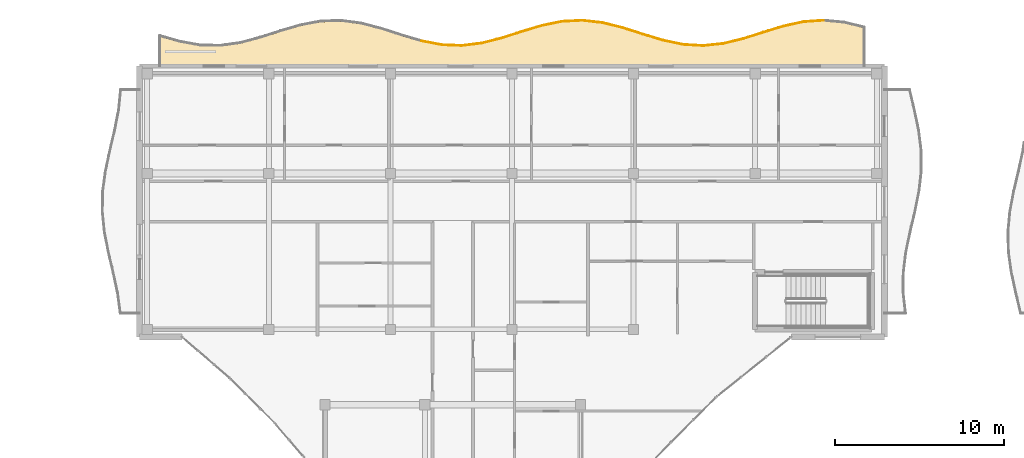
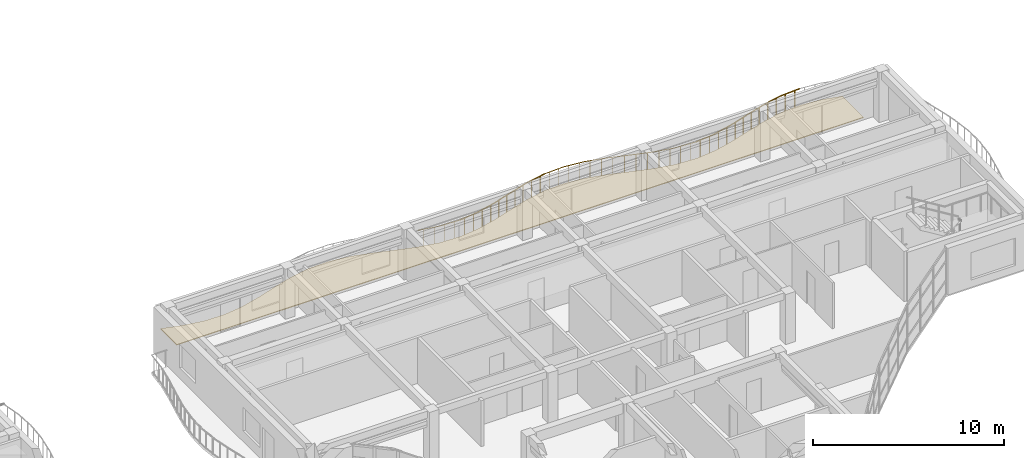
# One storey, part 72 of 79: 20 railings, 1 covering.
"""IFC4 building model written with IfcOpenShell, lengths in metres."""

from ifc_helpers import new_model, si_unit, direction, frame, origin, origin_2d, place, context, subcontext, project, spatial, polyline, circle, outline, extrude, material, layer, layer_set, type_object, element, save


model = new_model("IFC4")

# Units and contexts
model_context = context("Model", 3, precision=1e-05, world=origin(), true_north=direction((0.0, 1.0)))
body_context = subcontext(model_context, "Body", "Model", "MODEL_VIEW")
ifc_project = project(units=[si_unit("LENGTHUNIT", "METRE"), si_unit("AREAUNIT", "SQUARE_METRE"), si_unit("VOLUMEUNIT", "CUBIC_METRE"), si_unit("PLANEANGLEUNIT", "RADIAN"), si_unit("MASSUNIT", "GRAM", prefix="KILO")], contexts=[model_context])

# Site, building, storey
site_placement = place(None, origin())
site = spatial("IfcSite", under=ifc_project, at=site_placement, CompositionType="ELEMENT")
building_placement = place(site_placement, origin())
building = spatial("IfcBuilding", under=site, at=building_placement, Name="Keldmere Railside Commons", CompositionType="ELEMENT")
storey_placement = place(building_placement, frame((0.0, 0.0, 10.56005859375)))
storey = spatial("IfcBuildingStorey", under=building, at=storey_placement, Name="L03", CompositionType="ELEMENT", Elevation=10.56005859375)

# Railings
ifc_material_1 = material(Name="Steel F-24 (S235)", Category="steel")
railing_type = type_object("IfcRailingType", Name="Balcony & Terrace Steel Balustrade 1100", PredefinedType="BALUSTRADE", material=ifc_material_1)
railing_1_placement = place(storey_placement, frame((110.1513671875, 117.48583984375, 0.0)))
element("IfcRailing", 1, at=railing_1_placement, inside=storey, type_object=railing_type, Name="GR-1 GRD-L03-2120", PredefinedType="BALUSTRADE", context=body_context, shape_type="SweptSolid", body=[
    extrude(circle(Radius=0.02392578125, at=origin_2d()), frame((0.0, 0.0, 1.076171875), z_axis=(0.981643709316, -0.190723957489, 0.0), x_axis=(0.190723957489, 0.981643709316, 0.0)), (0.0, 0.0, 1.0), 1.2109375),
    extrude(circle(Radius=0.02099609375, at=origin_2d()), frame((0.297119140625, -0.0576171875, 0.0)), (0.0, 0.0, 1.0), 1.048095703125),
    extrude(circle(Radius=0.02099609375, at=origin_2d()), frame((0.8916015625, -0.17333984375, 0.0)), (0.0, 0.0, 1.0), 1.048095703125),
])
railing_2_placement = place(storey_placement, frame((111.340087890625, 117.2548828125, 0.0)))
element("IfcRailing", 2, at=railing_2_placement, inside=storey, type_object=railing_type, Name="GR-1 GRD-L03-2121", PredefinedType="BALUSTRADE", context=body_context, shape_type="SweptSolid", body=[
    extrude(circle(Radius=0.02392578125, at=origin_2d()), frame((0.0, 0.0, 1.076171875), z_axis=(0.999182160112, -0.040435268189, 0.0), x_axis=(0.040435268189, 0.999182160112, 0.0)), (0.0, 0.0, 1.0), 1.189453125),
    extrude(circle(Radius=0.02099609375, at=origin_2d()), frame((0.297119140625, -0.011962890625, 0.0)), (0.0, 0.0, 1.0), 1.048095703125),
    extrude(circle(Radius=0.02099609375, at=origin_2d()), frame((0.891357421875, -0.0361328125, 0.0)), (0.0, 0.0, 1.0), 1.048095703125),
])
railing_3_placement = place(storey_placement, frame((112.528564453125, 117.206787109375, 0.0)))
element("IfcRailing", 3, at=railing_3_placement, inside=storey, type_object=railing_type, Name="GR-1 GRD-L03-2122", PredefinedType="BALUSTRADE", context=body_context, shape_type="SweptSolid", body=[
    extrude(circle(Radius=0.02392578125, at=origin_2d()), frame((0.0, 0.0, 1.076171875), z_axis=(0.992415263539, 0.122930649941, 0.0), x_axis=(-0.122930649941, 0.992415263539, 0.0)), (0.0, 0.0, 1.0), 1.197509765625),
    extrude(circle(Radius=0.02099609375, at=origin_2d()), frame((0.297119140625, 0.036865234375, 0.0)), (0.0, 0.0, 1.0), 1.048095703125),
    extrude(circle(Radius=0.02099609375, at=origin_2d()), frame((0.891357421875, 0.1103515625, 0.0)), (0.0, 0.0, 1.0), 1.048095703125),
])
railing_4_placement = place(storey_placement, frame((113.717041015625, 117.35400390625, 0.0)))
element("IfcRailing", 4, at=railing_4_placement, inside=storey, type_object=railing_type, Name="GR-1 GRD-L03-2123", PredefinedType="BALUSTRADE", context=body_context, shape_type="SweptSolid", body=[
    extrude(circle(Radius=0.02392578125, at=origin_2d()), frame((0.0, 0.0, 1.076171875), z_axis=(0.968829364093, 0.247729011767, 0.0), x_axis=(-0.247729011767, 0.968829364093, 0.0)), (0.0, 0.0, 1.0), 1.22705078125),
    extrude(circle(Radius=0.02099609375, at=origin_2d()), frame((0.297119140625, 0.075927734375, 0.0)), (0.0, 0.0, 1.0), 1.048095703125),
    extrude(circle(Radius=0.02099609375, at=origin_2d()), frame((0.8916015625, 0.22802734375, 0.0)), (0.0, 0.0, 1.0), 1.048095703125),
])
railing_5_placement = place(storey_placement, frame((114.90576171875, 117.657958984375, 0.0)))
element("IfcRailing", 5, at=railing_5_placement, inside=storey, type_object=railing_type, Name="GR-1 GRD-L03-2124", PredefinedType="BALUSTRADE", context=body_context, shape_type="SweptSolid", body=[
    extrude(circle(Radius=0.02392578125, at=origin_2d()), frame((0.0, 0.0, 1.076171875), z_axis=(0.952296866166, 0.305173194581, 0.0), x_axis=(-0.305173194581, 0.952296866166, 0.0)), (0.0, 0.0, 1.0), 1.248046875),
    extrude(circle(Radius=0.02099609375, at=origin_2d()), frame((0.297119140625, 0.09521484375, 0.0)), (0.0, 0.0, 1.0), 1.048095703125),
    extrude(circle(Radius=0.02099609375, at=origin_2d()), frame((0.891357421875, 0.28564453125, 0.0)), (0.0, 0.0, 1.0), 1.048095703125),
])
railing_6_placement = place(storey_placement, frame((116.09423828125, 118.038818359375, 0.0)))
element("IfcRailing", 6, at=railing_6_placement, inside=storey, type_object=railing_type, Name="GR-1 GRD-L03-2125", PredefinedType="BALUSTRADE", context=body_context, shape_type="SweptSolid", body=[
    extrude(circle(Radius=0.02392578125, at=origin_2d()), frame((0.0, 0.0, 1.076171875), z_axis=(0.957647461825, 0.287943291048, 0.0), x_axis=(-0.287943291048, 0.957647461825, 0.0)), (0.0, 0.0, 1.0), 1.2412109375),
    extrude(circle(Radius=0.02099609375, at=origin_2d()), frame((0.297119140625, 0.08935546875, 0.0)), (0.0, 0.0, 1.0), 1.048095703125),
    extrude(circle(Radius=0.02099609375, at=origin_2d()), frame((0.8916015625, 0.26806640625, 0.0)), (0.0, 0.0, 1.0), 1.048095703125),
])
railing_7_placement = place(storey_placement, frame((117.282958984375, 118.396240234375, 0.0)))
element("IfcRailing", 7, at=railing_7_placement, inside=storey, type_object=railing_type, Name="GR-1 GRD-L03-2126", PredefinedType="BALUSTRADE", context=body_context, shape_type="SweptSolid", body=[
    extrude(circle(Radius=0.02392578125, at=origin_2d()), frame((0.0, 0.0, 1.076171875), z_axis=(0.980175906749, 0.198129230123, 0.0), x_axis=(-0.198129230123, 0.980175906749, 0.0)), (0.0, 0.0, 1.0), 1.21240234375),
    extrude(circle(Radius=0.02099609375, at=origin_2d()), frame((0.297119140625, 0.06005859375, 0.0)), (0.0, 0.0, 1.0), 1.048095703125),
    extrude(circle(Radius=0.02099609375, at=origin_2d()), frame((0.891357421875, 0.18017578125, 0.0)), (0.0, 0.0, 1.0), 1.048095703125),
])
railing_8_placement = place(storey_placement, frame((118.471435546875, 118.636474609375, 0.0)))
element("IfcRailing", 8, at=railing_8_placement, inside=storey, type_object=railing_type, Name="GR-1 GRD-L03-2127", PredefinedType="BALUSTRADE", context=body_context, shape_type="SweptSolid", body=[
    extrude(circle(Radius=0.02392578125, at=origin_2d()), frame((0.0, 0.0, 1.076171875), z_axis=(0.99874619171, 0.050060408952, 0.0), x_axis=(-0.050060408952, 0.99874619171, 0.0)), (0.0, 0.0, 1.0), 1.18994140625),
    extrude(circle(Radius=0.02099609375, at=origin_2d()), frame((0.297119140625, 0.014892578125, 0.0)), (0.0, 0.0, 1.0), 1.048095703125),
    extrude(circle(Radius=0.02099609375, at=origin_2d()), frame((0.891357421875, 0.044677734375, 0.0)), (0.0, 0.0, 1.0), 1.048095703125),
])
railing_9_placement = place(storey_placement, frame((119.659912109375, 118.696044921875, 0.0)))
element("IfcRailing", 9, at=railing_9_placement, inside=storey, type_object=railing_type, Name="GR-1 GRD-L03-2128", PredefinedType="BALUSTRADE", context=body_context, shape_type="SweptSolid", body=[
    extrude(circle(Radius=0.02392578125, at=origin_2d()), frame((0.0, 0.0, 1.076171875), z_axis=(0.993450867821, -0.114260112134, 0.0), x_axis=(0.114260112134, 0.993450867821, 0.0)), (0.0, 0.0, 1.0), 1.196533203125),
    extrude(circle(Radius=0.02099609375, at=origin_2d()), frame((0.297119140625, -0.0341796875, 0.0)), (0.0, 0.0, 1.0), 1.048095703125),
    extrude(circle(Radius=0.02099609375, at=origin_2d()), frame((0.8916015625, -0.1025390625, 0.0)), (0.0, 0.0, 1.0), 1.048095703125),
])
railing_10_placement = place(storey_placement, frame((120.8486328125, 118.559326171875, 0.0)))
element("IfcRailing", 10, at=railing_10_placement, inside=storey, type_object=railing_type, Name="GR-1 GRD-L03-2129", PredefinedType="BALUSTRADE", context=body_context, shape_type="SweptSolid", body=[
    extrude(circle(Radius=0.02392578125, at=origin_2d()), frame((0.0, 0.0, 1.076171875), z_axis=(0.970236220075, -0.242160437015, 0.0), x_axis=(0.242160437015, 0.970236220075, 0.0)), (0.0, 0.0, 1.0), 1.224853515625),
    extrude(circle(Radius=0.02099609375, at=origin_2d()), frame((0.297119140625, -0.07421875, 0.0)), (0.0, 0.0, 1.0), 1.048095703125),
    extrude(circle(Radius=0.02099609375, at=origin_2d()), frame((0.891357421875, -0.222412109375, 0.0)), (0.0, 0.0, 1.0), 1.048095703125),
])
railing_11_placement = place(storey_placement, frame((122.037109375, 118.2626953125, 0.0)))
element("IfcRailing", 11, at=railing_11_placement, inside=storey, type_object=railing_type, Name="GR-1 GRD-L03-2130", PredefinedType="BALUSTRADE", context=body_context, shape_type="SweptSolid", body=[
    extrude(circle(Radius=0.02392578125, at=origin_2d()), frame((0.0, 0.0, 1.076171875), z_axis=(0.952694181035, -0.30393057994, 0.0), x_axis=(0.30393057994, 0.952694181035, 0.0)), (0.0, 0.0, 1.0), 1.24755859375),
    extrude(circle(Radius=0.02099609375, at=origin_2d()), frame((0.297119140625, -0.0947265625, 0.0)), (0.0, 0.0, 1.0), 1.048095703125),
    extrude(circle(Radius=0.02099609375, at=origin_2d()), frame((0.891357421875, -0.284423828125, 0.0)), (0.0, 0.0, 1.0), 1.048095703125),
])
railing_12_placement = place(storey_placement, frame((123.2255859375, 117.883544921875, 0.0)))
element("IfcRailing", 12, at=railing_12_placement, inside=storey, type_object=railing_type, Name="GR-1 GRD-L03-2131", PredefinedType="BALUSTRADE", context=body_context, shape_type="SweptSolid", body=[
    extrude(circle(Radius=0.02392578125, at=origin_2d()), frame((0.0, 0.0, 1.076171875), z_axis=(0.956721460961, -0.291005233864, 0.0), x_axis=(0.291005233864, 0.956721460961, 0.0)), (0.0, 0.0, 1.0), 1.242431640625),
    extrude(circle(Radius=0.02099609375, at=origin_2d()), frame((0.297119140625, -0.09033203125, 0.0)), (0.0, 0.0, 1.0), 1.048095703125),
    extrude(circle(Radius=0.02099609375, at=origin_2d()), frame((0.8916015625, -0.271240234375, 0.0)), (0.0, 0.0, 1.0), 1.048095703125),
])
railing_13_placement = place(storey_placement, frame((124.414306640625, 117.52197265625, 0.0)))
element("IfcRailing", 13, at=railing_13_placement, inside=storey, type_object=railing_type, Name="GR-1 GRD-L03-2132", PredefinedType="BALUSTRADE", context=body_context, shape_type="SweptSolid", body=[
    extrude(circle(Radius=0.02392578125, at=origin_2d()), frame((0.0, 0.0, 1.076171875), z_axis=(0.978745598198, -0.205078165604, 0.0), x_axis=(0.205078165604, 0.978745598198, 0.0)), (0.0, 0.0, 1.0), 1.21435546875),
    extrude(circle(Radius=0.02099609375, at=origin_2d()), frame((0.297119140625, -0.062255859375, 0.0)), (0.0, 0.0, 1.0), 1.048095703125),
    extrude(circle(Radius=0.02099609375, at=origin_2d()), frame((0.891357421875, -0.186767578125, 0.0)), (0.0, 0.0, 1.0), 1.048095703125),
])
railing_14_placement = place(storey_placement, frame((125.602783203125, 117.27294921875, 0.0)))
element("IfcRailing", 14, at=railing_14_placement, inside=storey, type_object=railing_type, Name="GR-1 GRD-L03-2133", PredefinedType="BALUSTRADE", context=body_context, shape_type="SweptSolid", body=[
    extrude(circle(Radius=0.02392578125, at=origin_2d()), frame((0.0, 0.0, 1.076171875), z_axis=(0.998218791035, -0.059659410185, 0.0), x_axis=(0.059659410185, 0.998218791035, 0.0)), (0.0, 0.0, 1.0), 1.19091796875),
    extrude(circle(Radius=0.02099609375, at=origin_2d()), frame((0.297119140625, -0.017822265625, 0.0)), (0.0, 0.0, 1.0), 1.048095703125),
    extrude(circle(Radius=0.02099609375, at=origin_2d()), frame((0.8916015625, -0.05322265625, 0.0)), (0.0, 0.0, 1.0), 1.048095703125),
])
railing_15_placement = place(storey_placement, frame((126.79150390625, 117.201904296875, 0.0)))
element("IfcRailing", 15, at=railing_15_placement, inside=storey, type_object=railing_type, Name="GR-1 GRD-L03-2134", PredefinedType="BALUSTRADE", context=body_context, shape_type="SweptSolid", body=[
    extrude(circle(Radius=0.02392578125, at=origin_2d()), frame((0.0, 0.0, 1.076171875), z_axis=(0.994429075216, 0.105407847743, 0.0), x_axis=(-0.105407847743, 0.994429075216, 0.0)), (0.0, 0.0, 1.0), 1.195068359375),
    extrude(circle(Radius=0.02099609375, at=origin_2d()), frame((0.297119140625, 0.031494140625, 0.0)), (0.0, 0.0, 1.0), 1.048095703125),
    extrude(circle(Radius=0.02099609375, at=origin_2d()), frame((0.891357421875, 0.094482421875, 0.0)), (0.0, 0.0, 1.0), 1.048095703125),
])
railing_16_placement = place(storey_placement, frame((127.97998046875, 117.327880859375, 0.0)))
element("IfcRailing", 16, at=railing_16_placement, inside=storey, type_object=railing_type, Name="GR-1 GRD-L03-2135", PredefinedType="BALUSTRADE", context=body_context, shape_type="SweptSolid", body=[
    extrude(circle(Radius=0.02392578125, at=origin_2d()), frame((0.0, 0.0, 1.076171875), z_axis=(0.971637868523, 0.236473788088, 0.0), x_axis=(-0.236473788088, 0.971637868523, 0.0)), (0.0, 0.0, 1.0), 1.223388671875),
    extrude(circle(Radius=0.02099609375, at=origin_2d()), frame((0.297119140625, 0.072265625, 0.0)), (0.0, 0.0, 1.0), 1.048095703125),
    extrude(circle(Radius=0.02099609375, at=origin_2d()), frame((0.8916015625, 0.217041015625, 0.0)), (0.0, 0.0, 1.0), 1.048095703125),
])
railing_17_placement = place(storey_placement, frame((129.168701171875, 117.6171875, 0.0)))
element("IfcRailing", 17, at=railing_17_placement, inside=storey, type_object=railing_type, Name="GR-1 GRD-L03-2136", PredefinedType="BALUSTRADE", context=body_context, shape_type="SweptSolid", body=[
    extrude(circle(Radius=0.02392578125, at=origin_2d()), frame((0.0, 0.0, 1.076171875), z_axis=(0.953203114504, 0.302330650944, 0.0), x_axis=(-0.302330650944, 0.953203114504, 0.0)), (0.0, 0.0, 1.0), 1.246826171875),
    extrude(circle(Radius=0.02099609375, at=origin_2d()), frame((0.297119140625, 0.09423828125, 0.0)), (0.0, 0.0, 1.0), 1.048095703125),
    extrude(circle(Radius=0.02099609375, at=origin_2d()), frame((0.891357421875, 0.28271484375, 0.0)), (0.0, 0.0, 1.0), 1.048095703125),
])
railing_18_placement = place(storey_placement, frame((130.357177734375, 117.994140625, 0.0)))
element("IfcRailing", 18, at=railing_18_placement, inside=storey, type_object=railing_type, Name="GR-1 GRD-L03-2137", PredefinedType="BALUSTRADE", context=body_context, shape_type="SweptSolid", body=[
    extrude(circle(Radius=0.02392578125, at=origin_2d()), frame((0.0, 0.0, 1.076171875), z_axis=(0.95588084631, 0.293754672572, 0.0), x_axis=(-0.293754672572, 0.95588084631, 0.0)), (0.0, 0.0, 1.0), 1.243408203125),
    extrude(circle(Radius=0.02099609375, at=origin_2d()), frame((0.297119140625, 0.09130859375, 0.0)), (0.0, 0.0, 1.0), 1.048095703125),
    extrude(circle(Radius=0.02099609375, at=origin_2d()), frame((0.891357421875, 0.27392578125, 0.0)), (0.0, 0.0, 1.0), 1.048095703125),
])
railing_19_placement = place(storey_placement, frame((131.545654296875, 118.359375, 0.0)))
element("IfcRailing", 19, at=railing_19_placement, inside=storey, type_object=railing_type, Name="GR-1 GRD-L03-2138", PredefinedType="BALUSTRADE", context=body_context, shape_type="SweptSolid", body=[
    extrude(circle(Radius=0.02392578125, at=origin_2d()), frame((0.0, 0.0, 1.076171875), z_axis=(0.977279504205, 0.211954642933, 0.0), x_axis=(-0.211954642933, 0.977279504205, 0.0)), (0.0, 0.0, 1.0), 1.21630859375),
    extrude(circle(Radius=0.02099609375, at=origin_2d()), frame((0.297119140625, 0.064453125, 0.0)), (0.0, 0.0, 1.0), 1.048095703125),
    extrude(circle(Radius=0.02099609375, at=origin_2d()), frame((0.8916015625, 0.193359375, 0.0)), (0.0, 0.0, 1.0), 1.048095703125),
])
railing_20_placement = place(storey_placement, frame((132.734375, 118.6171875, 0.0)))
element("IfcRailing", 20, at=railing_20_placement, inside=storey, type_object=railing_type, Name="GR-1 GRD-L03-2139", PredefinedType="BALUSTRADE", context=body_context, shape_type="SweptSolid", body=[
    extrude(circle(Radius=0.02392578125, at=origin_2d()), frame((0.0, 0.0, 1.076171875), z_axis=(0.997626446399, 0.068858357845, 0.0), x_axis=(-0.068858357845, 0.997626446399, 0.0)), (0.0, 0.0, 1.0), 1.19140625),
    extrude(circle(Radius=0.02099609375, at=origin_2d()), frame((0.297119140625, 0.0205078125, 0.0)), (0.0, 0.0, 1.0), 1.048095703125),
    extrude(circle(Radius=0.02099609375, at=origin_2d()), frame((0.891357421875, 0.0615234375, 0.0)), (0.0, 0.0, 1.0), 1.048095703125),
])

# Covering
ifc_material_2 = material(Name="White Precast Concrete C35/45", Category="concrete")
ifc_layer = layer(ifc_material_2, 0.044921875, Name="White Architectural Balcony Ribbon Cladding 45")
ifc_layer_set = layer_set([ifc_layer], Name="White Precast Concrete C35/45")
covering_type = type_object("IfcCoveringType", Name="White Architectural Balcony Ribbon Cladding 45", PredefinedType="FLOORING", material=ifc_layer_set)
covering_placement = place(storey_placement, origin())
element("IfcCovering", 21, at=covering_placement, inside=storey, type_object=covering_type, Name="CLG-WB B L03 N White Balcony Ribbon", PredefinedType="FLOORING", context=body_context, shape_type="SweptSolid", body=[
    extrude(outline(polyline([(136.260009765625, 116.0400390625), (136.260009765625, 118.271240234375), (135.104736328125, 118.544921875), (133.92236328125, 118.6591796875), (132.739990234375, 118.577392578125), (131.555908203125, 118.32080078125), (130.368896484375, 117.955810546875), (129.1806640625, 117.5791015625), (129.177978515625, 117.578369140625), (127.989501953125, 117.288818359375), (127.984130859375, 117.2880859375), (126.795654296875, 117.162109375), (126.792236328125, 117.162109375), (126.7890625, 117.162109375), (125.6005859375, 117.233154296875), (125.5947265625, 117.23388671875), (124.406005859375, 117.48291015625), (124.402587890625, 117.483642578125), (123.214111328125, 117.84521484375), (123.21337890625, 117.845458984375), (122.026123046875, 118.22412109375), (120.84130859375, 118.52001953125), (119.65869140625, 118.656005859375), (118.476318359375, 118.5966796875), (117.29248046875, 118.357421875), (116.106201171875, 118.00048828125), (114.91796875, 117.619873046875), (114.91552734375, 117.619140625), (113.72705078125, 117.315185546875), (113.721923828125, 117.314208984375), (112.533447265625, 117.1669921875), (112.5302734375, 117.166748046875), (112.527099609375, 117.166748046875), (111.33837890625, 117.21484375), (111.33544921875, 117.215087890625), (111.33251953125, 117.215576171875), (110.143798828125, 117.446533203125), (110.139892578125, 117.447509765625), (108.951416015625, 117.80078125), (108.95068359375, 117.80078125), (107.76318359375, 118.182861328125), (106.577880859375, 118.492919921875), (105.39501953125, 118.64990234375), (104.212890625, 118.61328125), (103.029296875, 118.392578125), (101.84326171875, 118.044921875), (100.6552734375, 117.66162109375), (100.6533203125, 117.6611328125), (99.464599609375, 117.343505859375), (99.4599609375, 117.342529296875), (98.271240234375, 117.17431640625), (98.26806640625, 117.174072265625), (98.264892578125, 117.174072265625), (97.076171875, 117.19921875), (97.072998046875, 117.199462890625), (97.070068359375, 117.199951171875), (95.881591796875, 117.412109375), (95.87744140625, 117.4130859375), (94.739990234375, 117.74169921875), (94.739990234375, 116.0400390625), (136.260009765625, 116.0400390625)])), origin(), (0.0, 0.0, 1.0), 0.044921875),
])

save(model, "model.ifc")
